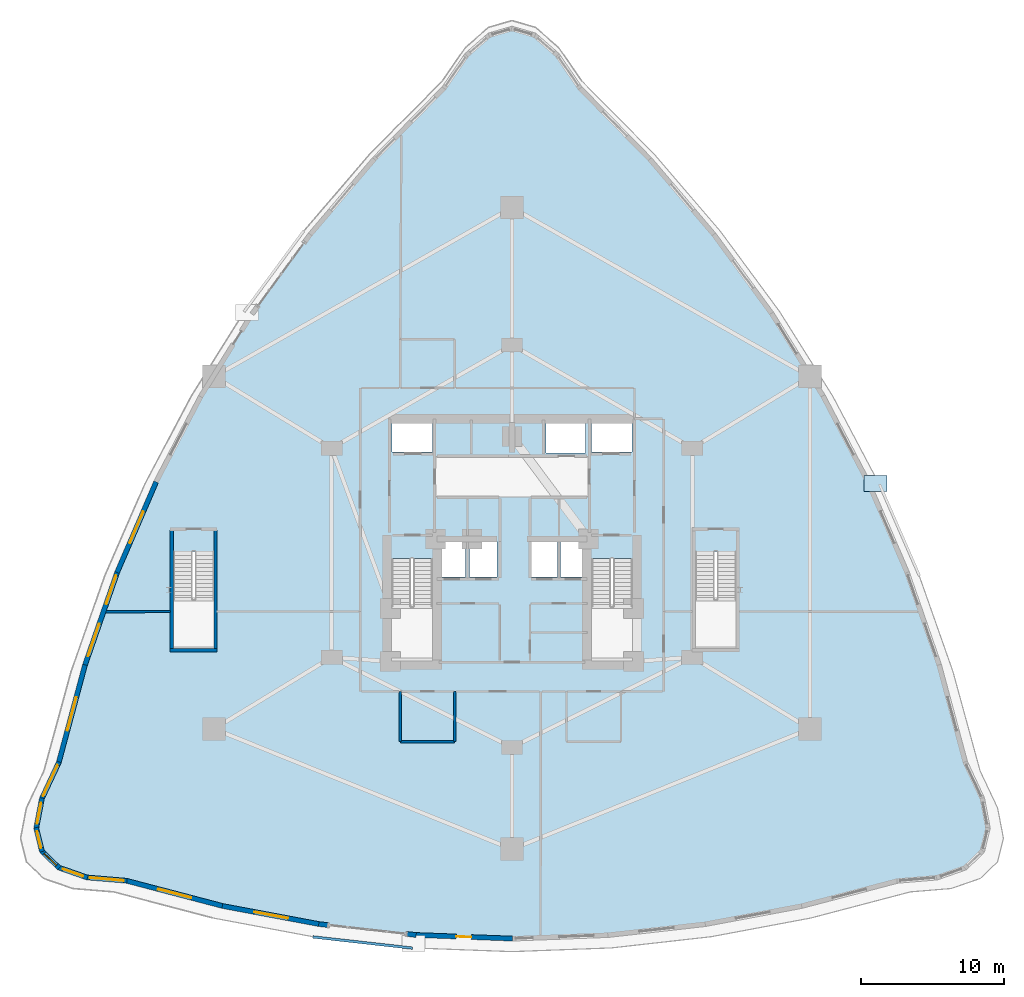
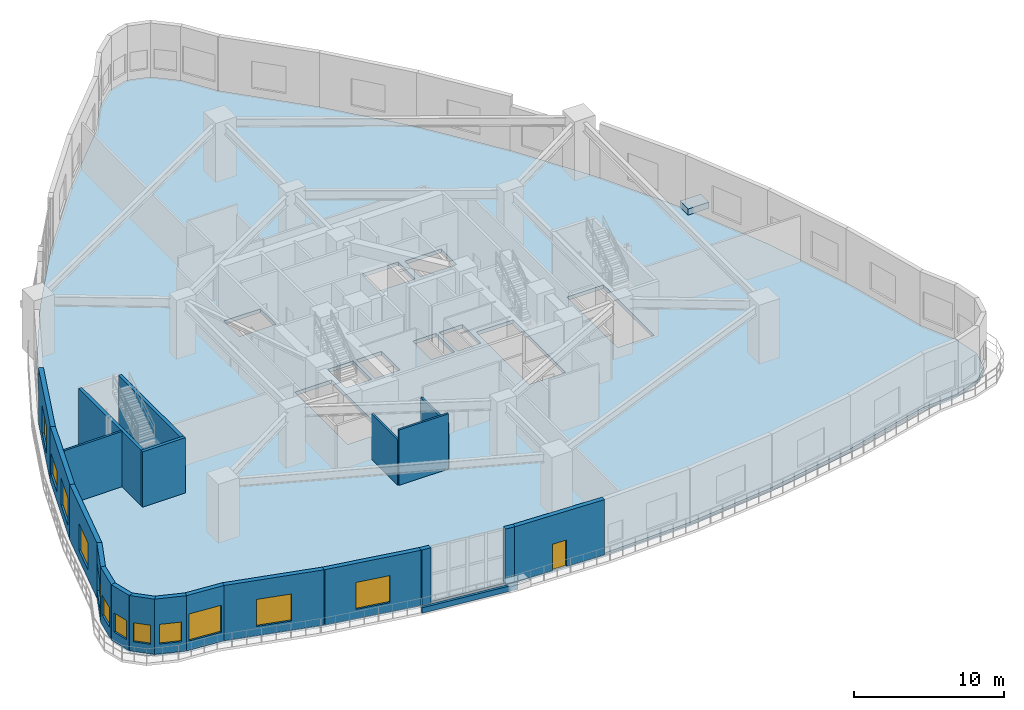
# One storey, part 14 of 23: 22 walls, 12 windows, 2 slabs, 1 door, 13 openings.
"""IFC4 building model written with IfcOpenShell, lengths in metres."""

from ifc_helpers import new_model, si_unit, direction, frame, frame_2d, origin, place, context, subcontext, project, spatial, polyline, rectangle, outline, extrude, material, layer, layer_set, type_object, element, fill, save


model = new_model("IFC4")

# Units and contexts
model_context = context("Model", 3, precision=1e-05, world=origin(), true_north=direction((0.0, 1.0)))
body_context = subcontext(model_context, "Body", "Model", "MODEL_VIEW")
ifc_project = project(units=[si_unit("LENGTHUNIT", "METRE"), si_unit("AREAUNIT", "SQUARE_METRE"), si_unit("VOLUMEUNIT", "CUBIC_METRE"), si_unit("PLANEANGLEUNIT", "RADIAN"), si_unit("MASSUNIT", "GRAM", prefix="KILO")], contexts=[model_context])

# Site, building, storey
site_placement = place(None, origin())
site = spatial("IfcSite", under=ifc_project, at=site_placement, CompositionType="ELEMENT")
building_placement = place(site_placement, origin())
building = spatial("IfcBuilding", under=site, at=building_placement, Name="Miruveldt Soraemaru", CompositionType="ELEMENT")
storey_placement = place(building_placement, frame((0.0, 0.0, 14.39990234375)))
storey = spatial("IfcBuildingStorey", under=building, at=storey_placement, Name="L04", CompositionType="ELEMENT", Elevation=14.39990234375)

# Slabs
ifc_material_1 = material(Name="Precast concrete C45/55 (45 MPa)", Category="concrete")
ifc_layer_1 = layer(ifc_material_1, 0.179931640625, Name="Precast concrete C45/55 (45 MPa)", Category="concrete")
ifc_layer_set_1 = layer_set([ifc_layer_1], Name="Precast concrete C45/55 (45 MPa)")
slab_type_1 = type_object("IfcSlabType", Name="SLAB-PLTR-180", PredefinedType="USERDEFINED", material=ifc_layer_set_1)
slab_1_placement = place(storey_placement, origin())
element("IfcSlab", 1, at=slab_1_placement, inside=storey, type_object=slab_type_1, Name="L04 Terrace Planter Bed PLANTER 3", ObjectType="PLANTER", PredefinedType="USERDEFINED", context=body_context, shape_type="SweptSolid", body=[
    extrude(outline(polyline([(68.577880859375, 47.37890625), (70.177978515625, 47.37890625), (70.177978515625, 48.47900390625), (68.577880859375, 48.47900390625), (68.577880859375, 47.37890625)])), origin(), (0.0, 0.0, 1.0), 0.5),
])
ifc_material_2 = material(Name="Concrete C40/50 (40 MPa)", Category="concrete")
ifc_layer_2 = layer(ifc_material_2, 0.300048828125, Name="Concrete C40/50 (40 MPa)", Category="concrete")
ifc_layer_set_2 = layer_set([ifc_layer_2], Name="Concrete C40/50 (40 MPa)")
slab_type_2 = type_object("IfcSlabType", Name="SLAB-PODM-300", PredefinedType="FLOOR", material=ifc_layer_set_2)
slab_2_placement = place(storey_placement, frame((0.0, 0.0, -0.2998046875)))
element("IfcSlab", 2, at=slab_2_placement, inside=storey, type_object=slab_type_2, Name="L04 Structural Floor Slab", PredefinedType="FLOOR", context=body_context, shape_type="SweptSolid", body=[
    extrude(outline(polyline([(53.637939453125, 70.54541015625), (58.106201171875, 65.29052734375), (62.1328125, 59.783203125), (65.718017578125, 54.023681640625), (68.86181640625, 48.01171875), (71.564208984375, 41.74755859375), (73.8251953125, 35.23095703125), (75.64453125, 28.4619140625), (76.82666015625, 25.934326171875), (77.220703125, 23.866455078125), (76.82666015625, 22.258056640625), (75.64453125, 21.109130859375), (73.67431640625, 20.419921875), (70.916015625, 20.18994140625), (64.18701171875, 18.423583984375), (57.4580078125, 17.161865234375), (50.72900390625, 16.40478515625), (44.0, 16.152587890625), (37.27099609375, 16.40478515625), (30.5419921875, 17.161865234375), (23.81298828125, 18.423583984375), (17.083984375, 20.18994140625), (14.32568359375, 20.419921875), (12.35546875, 21.109130859375), (11.17333984375, 22.258056640625), (10.779296875, 23.866455078125), (11.17333984375, 25.934326171875), (12.35546875, 28.4619140625), (14.1748046875, 35.23095703125), (16.435791015625, 41.74755859375), (19.13818359375, 48.01171875), (22.281982421875, 54.023681640625), (25.8671875, 59.783203125), (29.893798828125, 65.29052734375), (34.362060546875, 70.54541015625), (39.271484375, 75.548095703125), (40.84765625, 77.845703125), (42.423828125, 79.224609375), (44.0, 79.68408203125), (45.576171875, 79.224609375), (47.15234375, 77.845703125), (48.728515625, 75.548095703125), (53.637939453125, 70.54541015625)]), holes=[polyline([(35.614990234375, 35.6650390625), (38.43505859375, 35.6650390625), (38.43505859375, 42.68505859375), (35.614990234375, 42.68505859375), (35.614990234375, 35.6650390625)]), polyline([(20.364990234375, 36.4150390625), (23.18505859375, 36.4150390625), (23.18505859375, 43.18505859375), (20.364990234375, 43.18505859375), (20.364990234375, 36.4150390625)]), polyline([(40.764892578125, 41.4150390625), (40.764892578125, 43.885009765625), (38.81494140625, 43.885009765625), (38.81494140625, 41.4150390625), (40.764892578125, 41.4150390625)]), polyline([(41.034912109375, 41.4150390625), (42.965087890625, 41.4150390625), (42.965087890625, 43.885009765625), (41.034912109375, 43.885009765625), (41.034912109375, 41.4150390625)]), polyline([(45.364990234375, 41.4150390625), (47.1650390625, 41.4150390625), (47.1650390625, 43.885009765625), (45.364990234375, 43.885009765625), (45.364990234375, 41.4150390625)]), polyline([(38.445068359375, 50.135009765625), (38.445068359375, 52.205078125), (35.635009765625, 52.205078125), (35.635009765625, 50.135009765625), (38.445068359375, 50.135009765625)]), polyline([(49.56494140625, 42.68505859375), (49.56494140625, 35.6650390625), (52.385009765625, 35.6650390625), (52.385009765625, 42.68505859375), (49.56494140625, 42.68505859375)]), polyline([(56.81494140625, 43.18505859375), (56.81494140625, 36.4150390625), (59.635009765625, 36.4150390625), (59.635009765625, 43.18505859375), (56.81494140625, 43.18505859375)]), polyline([(49.18505859375, 41.4150390625), (49.18505859375, 43.885009765625), (47.39501953125, 43.885009765625), (47.39501953125, 41.4150390625), (49.18505859375, 41.4150390625)]), polyline([(49.554931640625, 50.135009765625), (52.364990234375, 50.135009765625), (52.364990234375, 52.205078125), (49.554931640625, 52.205078125), (49.554931640625, 50.135009765625)]), polyline([(46.364990234375, 50.06494140625), (49.135009765625, 50.06494140625), (49.135009765625, 52.3349609375), (46.364990234375, 52.3349609375), (46.364990234375, 50.06494140625)])]), origin(), (0.0, 0.0, 1.0), 0.2998046875),
])

# Walls
ifc_material_3 = material(Name="Concrete C50/60 (50 MPa)", Category="concrete")
ifc_layer_3 = layer(ifc_material_3, 0.419921875, Name="Concrete C50/60 (50 MPa)", Category="concrete")
ifc_layer_set_3 = layer_set([ifc_layer_3], Name="Concrete C50/60 (50 MPa)")
wall_type_1 = type_object("IfcWallType", Name="WALL-CW-420", PredefinedType="SHEAR", material=ifc_layer_set_3)
for number, where, z_axis, x_axis, name in (
    (3, (20.25, 36.35009765625, 0.0), (0.0, 0.0, 1.0), (0.0, 1.0, 0.0), "L04 Protected Exit Stair ST-3 Structural Shaft Wall W"),
    (4, (23.300048828125, 36.35009765625, 0.0), (0.0, 0.0, 1.0), (0.0, 1.0, 0.0), "L04 Protected Exit Stair ST-3 Structural Shaft Wall E"),
):
    element("IfcWall", number, at=place(storey_placement, frame(where, z_axis=z_axis, x_axis=x_axis)), inside=storey, type_object=wall_type_1, Name=name, PredefinedType="SHEAR", context=body_context, shape_type="SweptSolid", body=[
        extrude(rectangle(XDim=8.349853515625, YDim=0.239990234375, at=frame_2d((4.1748046875, 0.0))), origin(), (0.0, 0.0, 1.0), 4.5),
    ])
wall_1_placement = place(storey_placement, frame((20.1298828125, 36.300048828125, 0.0), z_axis=(0.0, 0.0, 1.0), x_axis=(1.0, 0.0, 0.0)))
element("IfcWall", 5, at=wall_1_placement, inside=storey, type_object=wall_type_1, Name="L04 Protected Exit Stair ST-3 Structural Shaft Wall S", PredefinedType="SHEAR", context=body_context, shape_type="SweptSolid", body=[
    extrude(rectangle(XDim=3.2900390625, YDim=0.239990234375, at=frame_2d((1.64501953125, 0.0))), origin(), (0.0, 0.0, 1.0), 4.5),
])

# Wall, opening, window
ifc_layer_4 = layer(ifc_material_1, 0.340087890625, Name="Precast concrete C45/55 (45 MPa)", Category="concrete")
ifc_layer_set_4 = layer_set([ifc_layer_4], Name="Precast concrete C45/55 (45 MPa)")
wall_type_2 = type_object("IfcWallType", Name="WALL-EXT-PC340", PredefinedType="SOLIDWALL", material=ifc_layer_set_4)
wall_2_placement = place(storey_placement, frame((19.152099609375, 48.0439453125, 0.0), z_axis=(0.0, 0.0, 1.0), x_axis=(-0.396089940266, -0.91821171808, 0.0)))
wall_2 = element("IfcWall", 6, at=wall_2_placement, inside=storey, type_object=wall_type_2, Name="L04 Precast Concrete Facade Wall 12", PredefinedType="SOLIDWALL", context=body_context, shape_type="SweptSolid", body=[
    extrude(rectangle(XDim=6.892333984375, YDim=0.340087890625, at=frame_2d((3.4462890625, 0.0))), origin(), (0.0, 0.0, 1.0), 4.5),
])
opening_1_placement = place(wall_2_placement, frame((2.24609375, 0.0, 0.75)))
opening_1 = element("IfcOpeningElement", 7, at=opening_1_placement, cuts=wall_2, Name="Opening WN-5", PredefinedType="OPENING", context=body_context, shape_type="SweptSolid", body=[
    extrude(rectangle(XDim=2.39990234375, YDim=2.199951171875, at=frame_2d((1.199951171875, 1.10009765625))), frame((0.0, 0.18017578125, 0.0), z_axis=(0.0, -1.0, 0.0), x_axis=(1.0, 0.0, 0.0)), (0.0, 0.0, 1.0), 0.360107421875),
])
ifc_material_4 = material(Name="Triple low-e insulated glazing", Category="glass")
window_type_1 = type_object("IfcWindowType", Name="WIN-PODM-2400x2200", PartitioningType="SINGLE_PANEL", PredefinedType="WINDOW", material=ifc_material_4)
window_1_placement = place(opening_1_placement, origin())
window_1 = element("IfcWindow", 8, at=window_1_placement, inside=storey, type_object=window_type_1, Name="L04 Punched Triple-Glazed Window 12.1", OverallHeight=2.199951171875, OverallWidth=2.39990234375, PartitioningType="SINGLE_PANEL", PredefinedType="WINDOW", context=body_context, shape_type="SweptSolid", body=[
    extrude(rectangle(XDim=2.39990234375, YDim=2.199951171875, at=frame_2d((1.199951171875, 1.10009765625))), frame((0.0, 0.030029296875, 0.0), z_axis=(0.0, -1.0, 0.0), x_axis=(1.0, 0.0, 0.0)), (0.0, 0.0, 1.0), 0.06005859375),
])
fill(opening_1, window_1)

# Wall, openings, windows
wall_3_placement = place(storey_placement, frame((16.447509765625, 41.780517578125, 0.0), z_axis=(0.0, 0.0, 1.0), x_axis=(-0.327819293653, -0.944740446212, 0.0)))
wall_3 = element("IfcWall", 9, at=wall_3_placement, inside=storey, type_object=wall_type_2, Name="L04 Precast Concrete Facade Wall 13", PredefinedType="SOLIDWALL", context=body_context, shape_type="SweptSolid", body=[
    extrude(rectangle(XDim=6.9677734375, YDim=0.340087890625, at=frame_2d((3.48388671875, 0.0))), origin(), (0.0, 0.0, 1.0), 4.5),
])
opening_2_placement = place(wall_3_placement, frame((0.2880859375, 0.0, 0.800048828125)))
opening_2 = element("IfcOpeningElement", 10, at=opening_2_placement, cuts=wall_3, Name="Opening WN-1", PredefinedType="OPENING", context=body_context, shape_type="SweptSolid", body=[
    extrude(rectangle(XDim=2.10009765625, YDim=1.699951171875, at=frame_2d((1.050048828125, 0.85009765625))), frame((0.0, 0.18017578125, 0.0), z_axis=(0.0, -1.0, 0.0), x_axis=(1.0, 0.0, 0.0)), (0.0, 0.0, 1.0), 0.360107421875),
])
opening_3_placement = place(wall_3_placement, frame((3.862060546875, 0.0, 0.75)))
opening_3 = element("IfcOpeningElement", 11, at=opening_3_placement, cuts=wall_3, Name="Opening WN-5", PredefinedType="OPENING", context=body_context, shape_type="SweptSolid", body=[
    extrude(rectangle(XDim=2.39990234375, YDim=2.199951171875, at=frame_2d((1.199951171875, 1.10009765625))), frame((0.0, 0.18017578125, 0.0), z_axis=(0.0, -1.0, 0.0), x_axis=(1.0, 0.0, 0.0)), (0.0, 0.0, 1.0), 0.360107421875),
])
window_2_placement = place(opening_3_placement, origin())
window_2 = element("IfcWindow", 12, at=window_2_placement, inside=storey, type_object=window_type_1, Name="L04 Punched Triple-Glazed Window 13.2", OverallHeight=2.199951171875, OverallWidth=2.39990234375, PartitioningType="SINGLE_PANEL", PredefinedType="WINDOW", context=body_context, shape_type="SweptSolid", body=[
    extrude(rectangle(XDim=2.39990234375, YDim=2.199951171875, at=frame_2d((1.199951171875, 1.10009765625))), frame((0.0, 0.030029296875, 0.0), z_axis=(0.0, -1.0, 0.0), x_axis=(1.0, 0.0, 0.0)), (0.0, 0.0, 1.0), 0.06005859375),
])
fill(opening_3, window_2)
window_type_2 = type_object("IfcWindowType", Name="WIN-PUNCH-2100x1700", PartitioningType="SINGLE_PANEL", PredefinedType="WINDOW", material=ifc_material_4)
window_3_placement = place(opening_2_placement, origin())
window_3 = element("IfcWindow", 13, at=window_3_placement, inside=storey, type_object=window_type_2, Name="L04 Punched Triple-Glazed Window 13.1", OverallHeight=1.699951171875, OverallWidth=2.10009765625, PartitioningType="SINGLE_PANEL", PredefinedType="WINDOW", context=body_context, shape_type="SweptSolid", body=[
    extrude(rectangle(XDim=2.10009765625, YDim=1.699951171875, at=frame_2d((1.050048828125, 0.85009765625))), frame((0.0, 0.030029296875, 0.0), z_axis=(0.0, -1.0, 0.0), x_axis=(1.0, 0.0, 0.0)), (0.0, 0.0, 1.0), 0.06005859375),
])
fill(opening_2, window_3)

# Wall, opening, window
wall_4_placement = place(storey_placement, frame((14.18408203125, 35.2646484375, 0.0), z_axis=(0.0, 0.0, 1.0), x_axis=(-0.259611089852, -0.965713250414, 0.0)))
wall_4 = element("IfcWall", 14, at=wall_4_placement, inside=storey, type_object=wall_type_2, Name="L04 Precast Concrete Facade Wall 14", PredefinedType="SOLIDWALL", context=body_context, shape_type="SweptSolid", body=[
    extrude(rectangle(XDim=7.079345703125, YDim=0.340087890625, at=frame_2d((3.53955078125, 0.0))), origin(), (0.0, 0.0, 1.0), 4.5),
])
opening_4_placement = place(wall_4_placement, frame((2.340087890625, 0.0, 0.75)))
opening_4 = element("IfcOpeningElement", 15, at=opening_4_placement, cuts=wall_4, Name="Opening WN-5", PredefinedType="OPENING", context=body_context, shape_type="SweptSolid", body=[
    extrude(rectangle(XDim=2.39990234375, YDim=2.199951171875, at=frame_2d((1.199951171875, 1.10009765625))), frame((0.0, 0.18017578125, 0.0), z_axis=(0.0, -1.0, 0.0), x_axis=(1.0, 0.0, 0.0)), (0.0, 0.0, 1.0), 0.360107421875),
])
window_4_placement = place(opening_4_placement, origin())
window_4 = element("IfcWindow", 16, at=window_4_placement, inside=storey, type_object=window_type_1, Name="L04 Punched Triple-Glazed Window 14.1", OverallHeight=2.199951171875, OverallWidth=2.39990234375, PartitioningType="SINGLE_PANEL", PredefinedType="WINDOW", context=body_context, shape_type="SweptSolid", body=[
    extrude(rectangle(XDim=2.39990234375, YDim=2.199951171875, at=frame_2d((1.199951171875, 1.10009765625))), frame((0.0, 0.030029296875, 0.0), z_axis=(0.0, -1.0, 0.0), x_axis=(1.0, 0.0, 0.0)), (0.0, 0.0, 1.0), 0.06005859375),
])
fill(opening_4, window_4)

wall_5_placement = place(storey_placement, frame((12.3701171875, 28.49365234375, 0.0), z_axis=(0.0, 0.0, 1.0), x_axis=(-0.42360491042, -0.905847051035, 0.0)))
wall_5 = element("IfcWall", 17, at=wall_5_placement, inside=storey, type_object=wall_type_2, Name="L04 Precast Concrete Facade Wall 15", PredefinedType="SOLIDWALL", context=body_context, shape_type="SweptSolid", body=[
    extrude(rectangle(XDim=2.8603515625, YDim=0.340087890625, at=frame_2d((1.43017578125, 0.0))), origin(), (0.0, 0.0, 1.0), 4.5),
])
opening_5_placement = place(wall_5_placement, frame((0.22998046875, 0.0, 0.75)))
opening_5 = element("IfcOpeningElement", 18, at=opening_5_placement, cuts=wall_5, Name="Opening WN-5", PredefinedType="OPENING", context=body_context, shape_type="SweptSolid", body=[
    extrude(rectangle(XDim=2.39990234375, YDim=2.199951171875, at=frame_2d((1.199951171875, 1.10009765625))), frame((0.0, 0.18017578125, 0.0), z_axis=(0.0, -1.0, 0.0), x_axis=(1.0, 0.0, 0.0)), (0.0, 0.0, 1.0), 0.360107421875),
])
window_5_placement = place(opening_5_placement, origin())
window_5 = element("IfcWindow", 19, at=window_5_placement, inside=storey, type_object=window_type_1, Name="L04 Punched Triple-Glazed Window 15.1", OverallHeight=2.199951171875, OverallWidth=2.39990234375, PartitioningType="SINGLE_PANEL", PredefinedType="WINDOW", context=body_context, shape_type="SweptSolid", body=[
    extrude(rectangle(XDim=2.39990234375, YDim=2.199951171875, at=frame_2d((1.199951171875, 1.10009765625))), frame((0.0, 0.030029296875, 0.0), z_axis=(0.0, -1.0, 0.0), x_axis=(1.0, 0.0, 0.0)), (0.0, 0.0, 1.0), 0.06005859375),
])
fill(opening_5, window_5)

wall_6_placement = place(storey_placement, frame((11.179931640625, 25.96875, 0.0), z_axis=(0.0, 0.0, 1.0), x_axis=(-0.187215259009, -0.982318912978, 0.0)))
wall_6 = element("IfcWall", 20, at=wall_6_placement, inside=storey, type_object=wall_type_2, Name="L04 Precast Concrete Facade Wall 16", PredefinedType="SOLIDWALL", context=body_context, shape_type="SweptSolid", body=[
    extrude(rectangle(XDim=2.17529296875, YDim=0.340087890625, at=frame_2d((1.087646484375, 0.0))), origin(), (0.0, 0.0, 1.0), 4.5),
])
opening_6_placement = place(wall_6_placement, frame((0.337890625, 0.0, 0.800048828125)))
opening_6 = element("IfcOpeningElement", 21, at=opening_6_placement, cuts=wall_6, Name="Opening WN-3", PredefinedType="OPENING", context=body_context, shape_type="SweptSolid", body=[
    extrude(rectangle(XDim=1.5, YDim=1.60009765625, at=frame_2d((0.75, 0.800048828125))), frame((0.0, 0.18017578125, 0.0), z_axis=(0.0, -1.0, 0.0), x_axis=(1.0, 0.0, 0.0)), (0.0, 0.0, 1.0), 0.360107421875),
])
window_type_3 = type_object("IfcWindowType", Name="WIN-PUNCH-1500x1600", PartitioningType="SINGLE_PANEL", PredefinedType="WINDOW", material=ifc_material_4)
window_6_placement = place(opening_6_placement, origin())
window_6 = element("IfcWindow", 22, at=window_6_placement, inside=storey, type_object=window_type_3, Name="L04 Punched Triple-Glazed Window 16.1", OverallHeight=1.60009765625, OverallWidth=1.5, PartitioningType="SINGLE_PANEL", PredefinedType="WINDOW", context=body_context, shape_type="SweptSolid", body=[
    extrude(rectangle(XDim=1.5, YDim=1.60009765625, at=frame_2d((0.75, 0.800048828125))), frame((0.0, 0.030029296875, 0.0), z_axis=(0.0, -1.0, 0.0), x_axis=(1.0, 0.0, 0.0)), (0.0, 0.0, 1.0), 0.06005859375),
])
fill(opening_6, window_6)

wall_7_placement = place(storey_placement, frame((10.77099609375, 23.900390625, 0.0), z_axis=(0.0, 0.0, 1.0), x_axis=(0.23793954326, -0.971279966721, 0.0)))
wall_7 = element("IfcWall", 23, at=wall_7_placement, inside=storey, type_object=wall_type_2, Name="L04 Precast Concrete Facade Wall 17", PredefinedType="SOLIDWALL", context=body_context, shape_type="SweptSolid", body=[
    extrude(rectangle(XDim=1.725830078125, YDim=0.340087890625, at=frame_2d((0.86279296875, 0.0))), origin(), (0.0, 0.0, 1.0), 4.5),
])
opening_7_placement = place(wall_7_placement, frame((0.262939453125, 0.0, 0.780029296875)))
opening_7 = element("IfcOpeningElement", 24, at=opening_7_placement, cuts=wall_7, Name="Opening WN-4", PredefinedType="OPENING", context=body_context, shape_type="SweptSolid", body=[
    extrude(rectangle(XDim=1.199951171875, YDim=1.550048828125, at=frame_2d((0.60009765625, 0.77490234375))), frame((0.0, 0.18017578125, 0.0), z_axis=(0.0, -1.0, 0.0), x_axis=(1.0, 0.0, 0.0)), (0.0, 0.0, 1.0), 0.360107421875),
])
window_type_4 = type_object("IfcWindowType", Name="WIN-PUNCH-1200x1550", PartitioningType="SINGLE_PANEL", PredefinedType="WINDOW", material=ifc_material_4)
window_7_placement = place(opening_7_placement, origin())
window_7 = element("IfcWindow", 25, at=window_7_placement, inside=storey, type_object=window_type_4, Name="L04 Punched Triple-Glazed Window 17.1", OverallHeight=1.550048828125, OverallWidth=1.199951171875, PartitioningType="SINGLE_PANEL", PredefinedType="WINDOW", context=body_context, shape_type="SweptSolid", body=[
    extrude(rectangle(XDim=1.199951171875, YDim=1.550048828125, at=frame_2d((0.60009765625, 0.77490234375))), frame((0.0, 0.030029296875, 0.0), z_axis=(0.0, -1.0, 0.0), x_axis=(1.0, 0.0, 0.0)), (0.0, 0.0, 1.0), 0.06005859375),
])
fill(opening_7, window_7)

wall_8_placement = place(storey_placement, frame((11.148193359375, 22.282470703125, 0.0), z_axis=(0.0, 0.0, 1.0), x_axis=(0.717121132922, -0.696948549548, 0.0)))
wall_8 = element("IfcWall", 26, at=wall_8_placement, inside=storey, type_object=wall_type_2, Name="L04 Precast Concrete Facade Wall 18", PredefinedType="SOLIDWALL", context=body_context, shape_type="SweptSolid", body=[
    extrude(rectangle(XDim=1.718505859375, YDim=0.340087890625, at=frame_2d((0.859375, 0.0))), origin(), (0.0, 0.0, 1.0), 4.5),
])
opening_8_placement = place(wall_8_placement, frame((0.259033203125, 0.0, 0.780029296875)))
opening_8 = element("IfcOpeningElement", 27, at=opening_8_placement, cuts=wall_8, Name="Opening WN-4", PredefinedType="OPENING", context=body_context, shape_type="SweptSolid", body=[
    extrude(rectangle(XDim=1.199951171875, YDim=1.550048828125, at=frame_2d((0.60009765625, 0.77490234375))), frame((0.0, 0.18017578125, 0.0), z_axis=(0.0, -1.0, 0.0), x_axis=(1.0, 0.0, 0.0)), (0.0, 0.0, 1.0), 0.360107421875),
])
window_8_placement = place(opening_8_placement, origin())
window_8 = element("IfcWindow", 28, at=window_8_placement, inside=storey, type_object=window_type_4, Name="L04 Punched Triple-Glazed Window 18.1", OverallHeight=1.550048828125, OverallWidth=1.199951171875, PartitioningType="SINGLE_PANEL", PredefinedType="WINDOW", context=body_context, shape_type="SweptSolid", body=[
    extrude(rectangle(XDim=1.199951171875, YDim=1.550048828125, at=frame_2d((0.60009765625, 0.77490234375))), frame((0.0, 0.030029296875, 0.0), z_axis=(0.0, -1.0, 0.0), x_axis=(1.0, 0.0, 0.0)), (0.0, 0.0, 1.0), 0.06005859375),
])
fill(opening_8, window_8)

wall_9_placement = place(storey_placement, frame((12.322509765625, 21.12060546875, 0.0), z_axis=(0.0, 0.0, 1.0), x_axis=(0.943893639928, -0.330249597279, 0.0)))
wall_9 = element("IfcWall", 29, at=wall_9_placement, inside=storey, type_object=wall_type_2, Name="L04 Precast Concrete Facade Wall 19", PredefinedType="SOLIDWALL", context=body_context, shape_type="SweptSolid", body=[
    extrude(rectangle(XDim=2.1572265625, YDim=0.340087890625, at=frame_2d((1.07861328125, 0.0))), origin(), (0.0, 0.0, 1.0), 4.5),
])
opening_9_placement = place(wall_9_placement, frame((0.3291015625, 0.0, 0.800048828125)))
opening_9 = element("IfcOpeningElement", 30, at=opening_9_placement, cuts=wall_9, Name="Opening WN-3", PredefinedType="OPENING", context=body_context, shape_type="SweptSolid", body=[
    extrude(rectangle(XDim=1.5, YDim=1.60009765625, at=frame_2d((0.75, 0.800048828125))), frame((0.0, 0.18017578125, 0.0), z_axis=(0.0, -1.0, 0.0), x_axis=(1.0, 0.0, 0.0)), (0.0, 0.0, 1.0), 0.360107421875),
])
window_9_placement = place(opening_9_placement, origin())
window_9 = element("IfcWindow", 31, at=window_9_placement, inside=storey, type_object=window_type_3, Name="L04 Punched Triple-Glazed Window 19.1", OverallHeight=1.60009765625, OverallWidth=1.5, PartitioningType="SINGLE_PANEL", PredefinedType="WINDOW", context=body_context, shape_type="SweptSolid", body=[
    extrude(rectangle(XDim=1.5, YDim=1.60009765625, at=frame_2d((0.75, 0.800048828125))), frame((0.0, 0.030029296875, 0.0), z_axis=(0.0, -1.0, 0.0), x_axis=(1.0, 0.0, 0.0)), (0.0, 0.0, 1.0), 0.06005859375),
])
fill(opening_9, window_9)

wall_10_placement = place(storey_placement, frame((14.290771484375, 20.422607421875, 0.0), z_axis=(0.0, 0.0, 1.0), x_axis=(0.996548131024, -0.083017001592, 0.0)))
wall_10 = element("IfcWall", 32, at=wall_10_placement, inside=storey, type_object=wall_type_2, Name="L04 Precast Concrete Facade Wall 20", PredefinedType="SOLIDWALL", context=body_context, shape_type="SweptSolid", body=[
    extrude(rectangle(XDim=2.837890625, YDim=0.340087890625, at=frame_2d((1.4189453125, 0.0))), origin(), (0.0, 0.0, 1.0), 4.5),
])
opening_10_placement = place(wall_10_placement, frame((0.218994140625, 0.0, 0.75)))
opening_10 = element("IfcOpeningElement", 33, at=opening_10_placement, cuts=wall_10, Name="Opening WN-5", PredefinedType="OPENING", context=body_context, shape_type="SweptSolid", body=[
    extrude(rectangle(XDim=2.39990234375, YDim=2.199951171875, at=frame_2d((1.199951171875, 1.10009765625))), frame((0.0, 0.18017578125, 0.0), z_axis=(0.0, -1.0, 0.0), x_axis=(1.0, 0.0, 0.0)), (0.0, 0.0, 1.0), 0.360107421875),
])
window_10_placement = place(opening_10_placement, origin())
window_10 = element("IfcWindow", 34, at=window_10_placement, inside=storey, type_object=window_type_1, Name="L04 Punched Triple-Glazed Window 20.1", OverallHeight=2.199951171875, OverallWidth=2.39990234375, PartitioningType="SINGLE_PANEL", PredefinedType="WINDOW", context=body_context, shape_type="SweptSolid", body=[
    extrude(rectangle(XDim=2.39990234375, YDim=2.199951171875, at=frame_2d((1.199951171875, 1.10009765625))), frame((0.0, 0.030029296875, 0.0), z_axis=(0.0, -1.0, 0.0), x_axis=(1.0, 0.0, 0.0)), (0.0, 0.0, 1.0), 0.06005859375),
])
fill(opening_10, window_10)

wall_11_placement = place(storey_placement, frame((17.050048828125, 20.198974609375, 0.0), z_axis=(0.0, 0.0, 1.0), x_axis=(0.967228725618, -0.253906660685, 0.0)))
wall_11 = element("IfcWall", 35, at=wall_11_placement, inside=storey, type_object=wall_type_2, Name="L04 Precast Concrete Facade Wall 21", PredefinedType="SOLIDWALL", context=body_context, shape_type="SweptSolid", body=[
    extrude(rectangle(XDim=7.02685546875, YDim=0.340087890625, at=frame_2d((3.513427734375, 0.0))), origin(), (0.0, 0.0, 1.0), 4.5),
])
opening_11_placement = place(wall_11_placement, frame((2.31396484375, 0.0, 0.75)))
opening_11 = element("IfcOpeningElement", 36, at=opening_11_placement, cuts=wall_11, Name="Opening WN-5", PredefinedType="OPENING", context=body_context, shape_type="SweptSolid", body=[
    extrude(rectangle(XDim=2.39990234375, YDim=2.199951171875, at=frame_2d((1.199951171875, 1.10009765625))), frame((0.0, 0.18017578125, 0.0), z_axis=(0.0, -1.0, 0.0), x_axis=(1.0, 0.0, 0.0)), (0.0, 0.0, 1.0), 0.360107421875),
])
window_11_placement = place(opening_11_placement, origin())
window_11 = element("IfcWindow", 37, at=window_11_placement, inside=storey, type_object=window_type_1, Name="L04 Punched Triple-Glazed Window 21.1", OverallHeight=2.199951171875, OverallWidth=2.39990234375, PartitioningType="SINGLE_PANEL", PredefinedType="WINDOW", context=body_context, shape_type="SweptSolid", body=[
    extrude(rectangle(XDim=2.39990234375, YDim=2.199951171875, at=frame_2d((1.199951171875, 1.10009765625))), frame((0.0, 0.030029296875, 0.0), z_axis=(0.0, -1.0, 0.0), x_axis=(1.0, 0.0, 0.0)), (0.0, 0.0, 1.0), 0.06005859375),
])
fill(opening_11, window_11)

wall_12_placement = place(storey_placement, frame((23.778564453125, 18.43017578125, 0.0), z_axis=(0.0, 0.0, 1.0), x_axis=(0.982870588444, -0.18429706013, 0.0)))
wall_12 = element("IfcWall", 38, at=wall_12_placement, inside=storey, type_object=wall_type_2, Name="L04 Precast Concrete Facade Wall 22", PredefinedType="SOLIDWALL", context=body_context, shape_type="SweptSolid", body=[
    extrude(rectangle(XDim=6.916259765625, YDim=0.340087890625, at=frame_2d((3.4580078125, 0.0))), origin(), (0.0, 0.0, 1.0), 4.5),
])
opening_12_placement = place(wall_12_placement, frame((2.258056640625, 0.0, 0.75)))
opening_12 = element("IfcOpeningElement", 39, at=opening_12_placement, cuts=wall_12, Name="Opening WN-5", PredefinedType="OPENING", context=body_context, shape_type="SweptSolid", body=[
    extrude(rectangle(XDim=2.39990234375, YDim=2.199951171875, at=frame_2d((1.199951171875, 1.10009765625))), frame((0.0, 0.18017578125, 0.0), z_axis=(0.0, -1.0, 0.0), x_axis=(1.0, 0.0, 0.0)), (0.0, 0.0, 1.0), 0.360107421875),
])
window_12_placement = place(opening_12_placement, origin())
window_12 = element("IfcWindow", 40, at=window_12_placement, inside=storey, type_object=window_type_1, Name="L04 Punched Triple-Glazed Window 22.1", OverallHeight=2.199951171875, OverallWidth=2.39990234375, PartitioningType="SINGLE_PANEL", PredefinedType="WINDOW", context=body_context, shape_type="SweptSolid", body=[
    extrude(rectangle(XDim=2.39990234375, YDim=2.199951171875, at=frame_2d((1.199951171875, 1.10009765625))), frame((0.0, 0.030029296875, 0.0), z_axis=(0.0, -1.0, 0.0), x_axis=(1.0, 0.0, 0.0)), (0.0, 0.0, 1.0), 0.06005859375),
])
fill(opening_12, window_12)

# Walls
wall_13_placement = place(storey_placement, frame((30.507080078125, 17.165771484375, 0.0), z_axis=(0.0, 0.0, 1.0), x_axis=(0.993726507007, -0.11183751281, 0.0)))
element("IfcWall", 41, at=wall_13_placement, inside=storey, type_object=wall_type_2, Name="L04 Precast Pier Left 23", PredefinedType="SOLIDWALL", context=body_context, shape_type="SweptSolid", body=[
    extrude(rectangle(XDim=0.705078125, YDim=0.340087890625, at=frame_2d((0.3525390625, 0.0))), origin(), (0.0, 0.0, 1.0), 4.5),
])
wall_14_placement = place(storey_placement, frame((36.604736328125, 16.47998046875, 0.0), z_axis=(0.0, 0.0, 1.0), x_axis=(0.993696674454, -0.112102271073, 0.0)))
element("IfcWall", 42, at=wall_14_placement, inside=storey, type_object=wall_type_2, Name="L04 Precast Pier Right 23", PredefinedType="SOLIDWALL", context=body_context, shape_type="SweptSolid", body=[
    extrude(rectangle(XDim=0.70556640625, YDim=0.340087890625, at=frame_2d((0.352783203125, 0.0))), origin(), (0.0, 0.0, 1.0), 4.5),
])

# Wall, opening, door
wall_15_placement = place(storey_placement, frame((37.236083984375, 16.40625, 0.0), z_axis=(0.0, 0.0, 1.0), x_axis=(0.99929801878, -0.0374629105, 0.0)))
wall_15 = element("IfcWall", 43, at=wall_15_placement, inside=storey, type_object=wall_type_2, Name="L04 Precast Concrete Facade Wall 24", PredefinedType="SOLIDWALL", context=body_context, shape_type="SweptSolid", body=[
    extrude(rectangle(XDim=6.8037109375, YDim=0.340087890625, at=frame_2d((3.40185546875, 0.0))), origin(), (0.0, 0.0, 1.0), 4.5),
])
opening_13_placement = place(wall_15_placement, frame((2.876953125, 0.0, 0.0)))
opening_13 = element("IfcOpeningElement", 44, at=opening_13_placement, cuts=wall_15, Name="Opening TD-1", PredefinedType="OPENING", context=body_context, shape_type="SweptSolid", body=[
    extrude(rectangle(XDim=1.050048828125, YDim=2.14990234375, at=frame_2d((0.52490234375, 1.074951171875))), frame((0.0, 0.18017578125, 0.0), z_axis=(0.0, -1.0, 0.0), x_axis=(1.0, 0.0, 0.0)), (0.0, 0.0, 1.0), 0.360107421875),
])
ifc_material_5 = material(Name="Anodised aluminium EN AW-6063 T6", Category="aluminium")
door_type = type_object("IfcDoorType", Name="DOOR-TER-1050", OperationType="NOTDEFINED", PredefinedType="DOOR", material=ifc_material_5)
door_placement = place(opening_13_placement, frame((1.050048828125, 0.0, 0.0), z_axis=(0.0, 0.0, 1.0), x_axis=(-1.0, 0.0, 0.0)))
door = element("IfcDoor", 45, at=door_placement, inside=storey, type_object=door_type, Name="L04 Terrace Access Glazed Door 24", OperationType="SINGLE_SWING_LEFT", OverallHeight=2.14990234375, OverallWidth=1.050048828125, PredefinedType="DOOR", context=body_context, shape_type="SweptSolid", body=[
    extrude(rectangle(XDim=1.050048828125, YDim=2.14990234375, at=frame_2d((0.52490234375, 1.074951171875))), frame((0.0, 0.02490234375, 0.0), z_axis=(0.0, -1.0, 0.0), x_axis=(1.0, 0.0, 0.0)), (0.0, 0.0, 1.0), 0.050048828125),
])
fill(opening_13, door)

# Walls
ifc_material_6 = material(Name="Gypsum plasterboard lining", Category="gypsum")
ifc_layer_5 = layer(ifc_material_6, 0.14990234375, Name="Gypsum plasterboard lining", Category="gypsum")
ifc_layer_set_5 = layer_set([ifc_layer_5], Name="Gypsum plasterboard lining")
wall_type_3 = type_object("IfcWallType", Name="WALL-INT-PLUMB", PredefinedType="PLUMBINGWALL", material=ifc_layer_set_5)
wall_16_placement = place(storey_placement, frame((36.199951171875, 29.89990234375, 0.0), z_axis=(0.0, 0.0, 1.0), x_axis=(1.0, 0.0, 0.0)))
element("IfcWall", 46, at=wall_16_placement, inside=storey, type_object=wall_type_3, Name="L04 Partition Wall 20", PredefinedType="PLUMBINGWALL", context=body_context, shape_type="SweptSolid", body=[
    extrude(rectangle(XDim=3.800048828125, YDim=0.14990234375, at=frame_2d((1.89990234375, 0.0))), origin(), (0.0, 0.0, 1.0), 4.5),
])
for number, where, z_axis, x_axis, name in (
    (47, (36.199951171875, 33.39990234375, 0.0), (0.0, 0.0, 1.0), (0.0, -1.0, 0.0), "L04 Partition Wall 19"),
    (48, (40.0, 29.89990234375, 0.0), (0.0, 0.0, 1.0), (0.0, 1.0, 0.0), "L04 Partition Wall 21"),
):
    element("IfcWall", number, at=place(storey_placement, frame(where, z_axis=z_axis, x_axis=x_axis)), inside=storey, type_object=wall_type_3, Name=name, PredefinedType="PLUMBINGWALL", context=body_context, shape_type="SweptSolid", body=[
        extrude(rectangle(XDim=3.5, YDim=0.14990234375, at=frame_2d((1.75, 0.0))), origin(), (0.0, 0.0, 1.0), 3.68798828125),
    ])
ifc_layer_6 = layer(ifc_material_2, 0.159912109375, Name="Concrete C40/50 (40 MPa)", Category="concrete")
ifc_layer_set_6 = layer_set([ifc_layer_6], Name="Concrete C40/50 (40 MPa)")
wall_type_4 = type_object("IfcWallType", Name="WALL-INT-RC160", PredefinedType="SOLIDWALL", material=ifc_layer_set_6)
wall_17_placement = place(storey_placement, frame((20.169921875, 38.9990234375, 0.0), z_axis=(0.0, 0.0, 1.0), x_axis=(-0.999971615416, -0.007534478238, 0.0)))
element("IfcWall", 49, at=wall_17_placement, inside=storey, type_object=wall_type_4, Name="L04 Partition Wall 27", PredefinedType="SOLIDWALL", context=body_context, shape_type="SweptSolid", body=[
    extrude(rectangle(XDim=4.504150390625, YDim=0.159912109375, at=frame_2d((2.251953125, 0.0))), origin(), (0.0, 0.0, 1.0), 4.5),
])
ifc_layer_7 = layer(ifc_material_1, 0.179931640625, Name="Precast concrete C45/55 (45 MPa)", Category="concrete")
ifc_layer_set_7 = layer_set([ifc_layer_7], Name="Precast concrete C45/55 (45 MPa)")
wall_type_5 = type_object("IfcWallType", Name="WALL-PAR-180", PredefinedType="PARAPET", material=ifc_layer_set_7)
wall_18_placement = place(storey_placement, frame((30.093505859375, 16.27099609375, 0.0), z_axis=(0.0, 0.0, 1.0), x_axis=(0.993731316159, -0.111794773068, 0.0)))
element("IfcWall", 50, at=wall_18_placement, inside=storey, type_object=wall_type_5, Name="L04 Terrace Upstand Parapet 22", PredefinedType="PARAPET", context=body_context, shape_type="SweptSolid", body=[
    extrude(rectangle(XDim=6.9970703125, YDim=0.179931640625, at=frame_2d((3.49853515625, 0.0))), origin(), (0.0, 0.0, 1.0), 0.4501953125),
])

save(model, "model.ifc")
